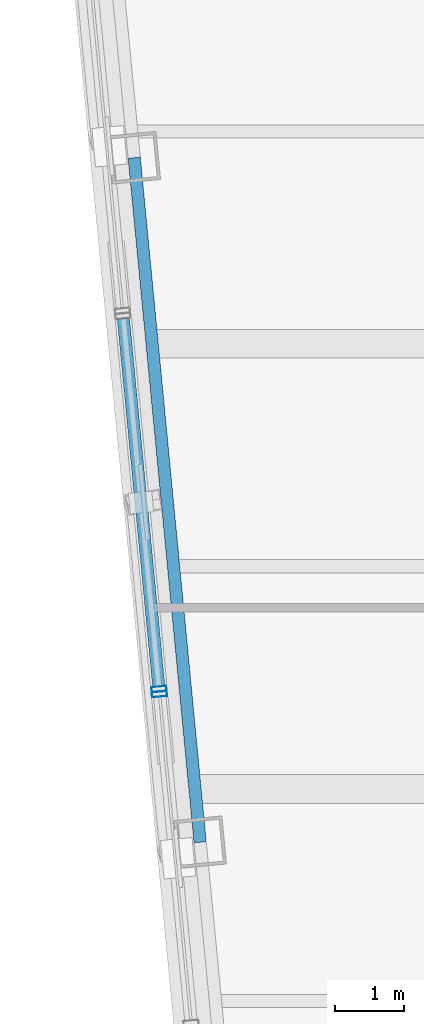
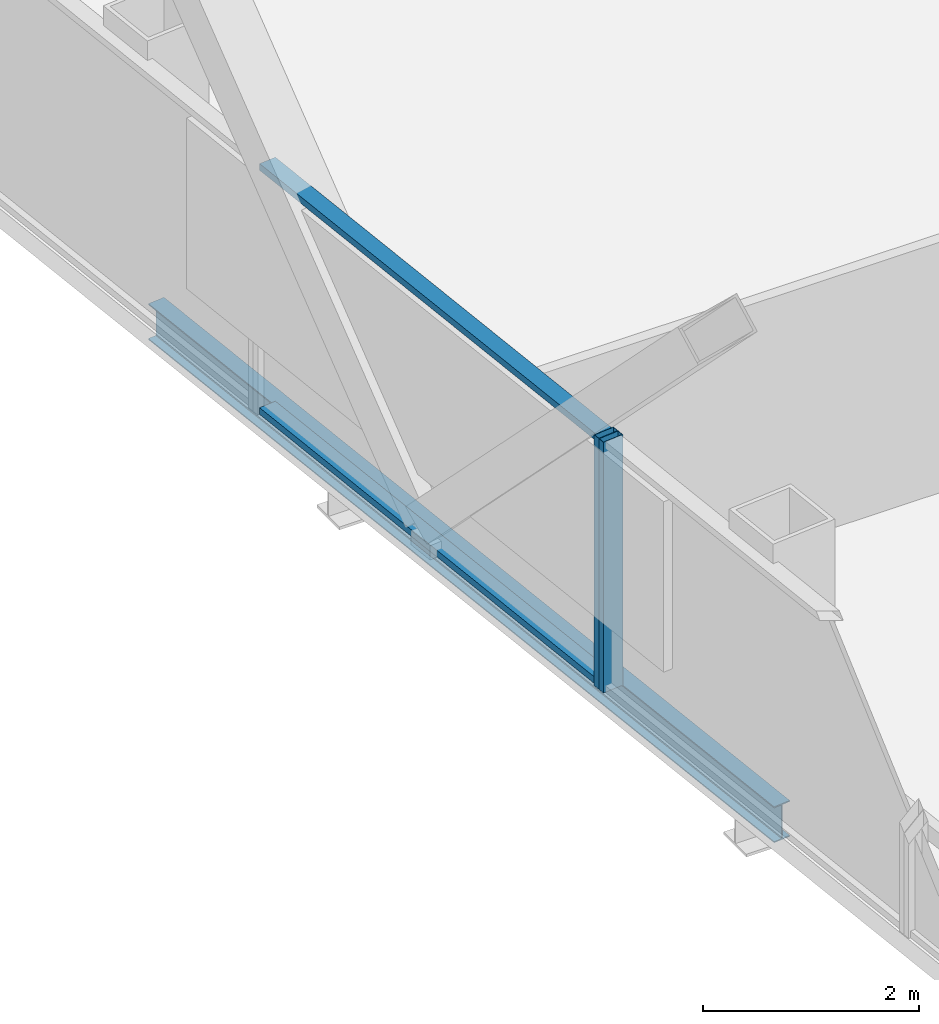
# One storey, part 9 of 34: 4 members, 1 beam, 2 elements without a shape of their own.
"""IFC4 building model written with IfcOpenShell, lengths in metres."""

from ifc_helpers import new_model, si_unit, direction, frame, origin, origin_2d, place, context, subcontext, project, spatial, hollow_rectangle, i_section, extrude, material, layer, layer_set, material_profile, profile_set, type_object, element, aggregate, save


model = new_model("IFC4")

# Units and contexts
model_context = context("Model", 3, precision=1e-05, world=origin(), true_north=direction((0.0, 1.0)))
body_context = subcontext(model_context, "Body", "Model", "MODEL_VIEW")
ifc_project = project(units=[si_unit("LENGTHUNIT", "METRE"), si_unit("AREAUNIT", "SQUARE_METRE"), si_unit("VOLUMEUNIT", "CUBIC_METRE"), si_unit("PLANEANGLEUNIT", "RADIAN"), si_unit("MASSUNIT", "GRAM", prefix="KILO")], contexts=[model_context])

# Site, building, storey
site_placement = place(None, origin())
site = spatial("IfcSite", under=ifc_project, at=site_placement, CompositionType="ELEMENT")
building_placement = place(site_placement, origin())
building = spatial("IfcBuilding", under=site, at=building_placement, Name="Qhalaya Broadcast Tower", CompositionType="ELEMENT")
storey_placement = place(building_placement, frame((0.0, 0.0, 168.35009765625)))
storey = spatial("IfcBuildingStorey", under=building, at=storey_placement, Name="L49", CompositionType="ELEMENT", Elevation=168.35009765625)

# Curtain wall, member
ifc_material_1 = material(Name="Fired Architectural Terracotta", Category="masonry")
ifc_layer_1 = layer(ifc_material_1, 0.219970703125, Name="Fired Architectural Terracotta")
ifc_layer_set_1 = layer_set([ifc_layer_1], Name="Fired Architectural Terracotta")
curtain_wall_type_1 = type_object("IfcCurtainWallType", Name="Block-Cap Unitised Terracotta Spandrel Wall CW-07", PredefinedType="NOTDEFINED", material=ifc_layer_set_1)
curtain_wall_1_placement = place(storey_placement, origin())
curtain_wall_1 = element("IfcCurtainWall", 1, at=curtain_wall_1_placement, inside=storey, type_object=curtain_wall_type_1, Name="L49 Unitised Curtain Wall L49-CW-W3", PredefinedType="NOTDEFINED")
ifc_material_2 = material(Name="Anodised Aluminium 6063-T6", Category="aluminium")
ifc_material_profile_1 = material_profile(ifc_material_2, hollow_rectangle(XDim=0.074951171875, YDim=0.219970703125, WallThickness=0.00390625, at=origin_2d()), Name="ALU-MUL 75x220x4")
ifc_profile_set_1 = profile_set([ifc_material_profile_1], Name="Anodised Aluminium 6063-T6")
member_type_1 = type_object("IfcMemberType", Name="Unitised Curtain-Wall Mullion M01", PredefinedType="MULLION", material=ifc_profile_set_1)
member_1_placement = place(storey_placement, frame((-24.212890625, -1.1787109375, 0.0), z_axis=(0.0, 0.0, 1.0), x_axis=(0.095858099514, -0.99539500941, 0.0)))
member_1 = element("IfcMember", 2, at=member_1_placement, type_object=member_type_1, Name="CW-07 mullion 2", PredefinedType="MULLION", context=body_context, shape_type="SweptSolid", body=[
    extrude(hollow_rectangle(XDim=0.074951171875, YDim=0.219970703125, WallThickness=0.00390625, at=origin_2d()), origin(), (0.0, 0.0, 1.0), 2.829833984375),
])

ifc_material_3 = material(Name="Solar-Control Low-E Triple Glazing", Category="glass")
ifc_layer_2 = layer(ifc_material_3, 0.219970703125, Name="Solar-Control Low-E Triple Glazing")
ifc_layer_set_2 = layer_set([ifc_layer_2], Name="Solar-Control Low-E Triple Glazing")
curtain_wall_type_2 = type_object("IfcCurtainWallType", Name="Even-Block 4-Storey Double-Module Curtain Wall CW-03", PredefinedType="NOTDEFINED", material=ifc_layer_set_2)
curtain_wall_2_placement = place(storey_placement, origin())
curtain_wall_2 = element("IfcCurtainWall", 3, at=curtain_wall_2_placement, inside=storey, type_object=curtain_wall_type_2, Name="L49 Unitised Curtain Wall L49-CW-W4", PredefinedType="NOTDEFINED")
member_2_placement = place(storey_placement, frame((-24.205810546875, -1.25341796875, 0.0), z_axis=(0.0, 0.0, 1.0), x_axis=(0.095844898762, -0.995396280574, 0.0)))
member_2 = element("IfcMember", 4, at=member_2_placement, type_object=member_type_1, Name="CW-03 mullion 1", PredefinedType="MULLION", context=body_context, shape_type="SweptSolid", body=[
    extrude(hollow_rectangle(XDim=0.074951171875, YDim=0.219970703125, WallThickness=0.00390625, at=origin_2d()), origin(), (0.0, 0.0, 1.0), 2.829833984375),
])
aggregate(curtain_wall_2, [member_2])

# Member
ifc_material_profile_2 = material_profile(ifc_material_2, hollow_rectangle(XDim=0.074951171875, YDim=0.179931640625, WallThickness=0.00390625, at=origin_2d()), Name="ALU-TRN 75x180x4")
ifc_profile_set_2 = profile_set([ifc_material_profile_2], Name="Anodised Aluminium 6063-T6")
member_type_2 = type_object("IfcMemberType", Name="Unitised Curtain-Wall Transom T01", PredefinedType="USERDEFINED", material=ifc_profile_set_2)
member_3_placement = place(storey_placement, frame((-24.72998046875, 4.18994140625, 0.037353515625), z_axis=(0.095860930142, -0.995394736812, 0.0), x_axis=(0.0, 0.0, 1.0)))
member_3 = element("IfcMember", 5, at=member_3_placement, type_object=member_type_2, Name="CW-07 transom 1.1", ObjectType="TRANSOM", PredefinedType="USERDEFINED", context=body_context, shape_type="SweptSolid", body=[
    extrude(hollow_rectangle(XDim=0.074951171875, YDim=0.179931640625, WallThickness=0.00390625, at=origin_2d()), origin(), (0.0, 0.0, 1.0), 5.35595703125),
])

member_4_placement = place(storey_placement, frame((-24.72998046875, 4.18994140625, 2.79248046875), z_axis=(0.095860930142, -0.995394736812, 0.0), x_axis=(0.0, 0.0, 1.0)))
member_4 = element("IfcMember", 6, at=member_4_placement, type_object=member_type_2, Name="CW-07 transom 1.2", ObjectType="TRANSOM", PredefinedType="USERDEFINED", context=body_context, shape_type="SweptSolid", body=[
    extrude(hollow_rectangle(XDim=0.074951171875, YDim=0.179931640625, WallThickness=0.00390625, at=origin_2d()), origin(), (0.0, 0.0, 1.0), 5.35595703125),
])

aggregate(curtain_wall_1, [member_1, member_3, member_4])

# Beam
ifc_material_4 = material(Name="Structural Steel ASTM A992 Grade 50", Category="steel")
ifc_material_profile_3 = material_profile(ifc_material_4, i_section(OverallWidth=0.177978515625, OverallDepth=0.406005859375, WebThickness=0.0078125, FlangeThickness=0.0126953125, at=origin_2d()), Name="W16X40")
ifc_profile_set_3 = profile_set([ifc_material_profile_3], Name="Structural Steel ASTM A992 Grade 50")
beam_type = type_object("IfcBeamType", Name="Upper Perimeter Spandrel Beam SP2", PredefinedType="SPANDREL", material=ifc_profile_set_3)
beam_placement = place(storey_placement, frame((-24.572509765625, 6.521240234375, -0.423095703125), z_axis=(0.095850563819, -0.99539573508, 0.0), x_axis=(0.99539573508, 0.095850563819, 0.0)))
element("IfcBeam", 7, at=beam_placement, inside=storey, type_object=beam_type, Name="L49 SP2 L49-SPR-14", PredefinedType="SPANDREL", context=body_context, shape_type="SweptSolid", body=[
    extrude(i_section(OverallWidth=0.177978515625, OverallDepth=0.406005859375, WebThickness=0.0078125, FlangeThickness=0.0126953125, at=origin_2d()), origin(), (0.0, 0.0, 1.0), 9.966796875),
])

save(model, "model.ifc")
